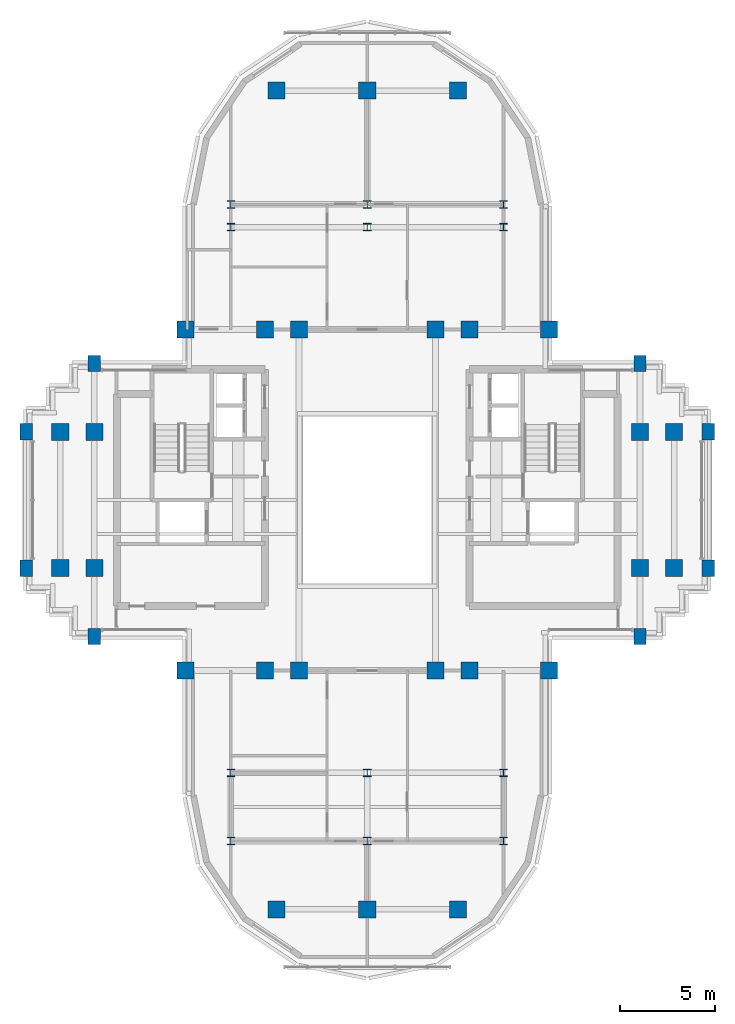
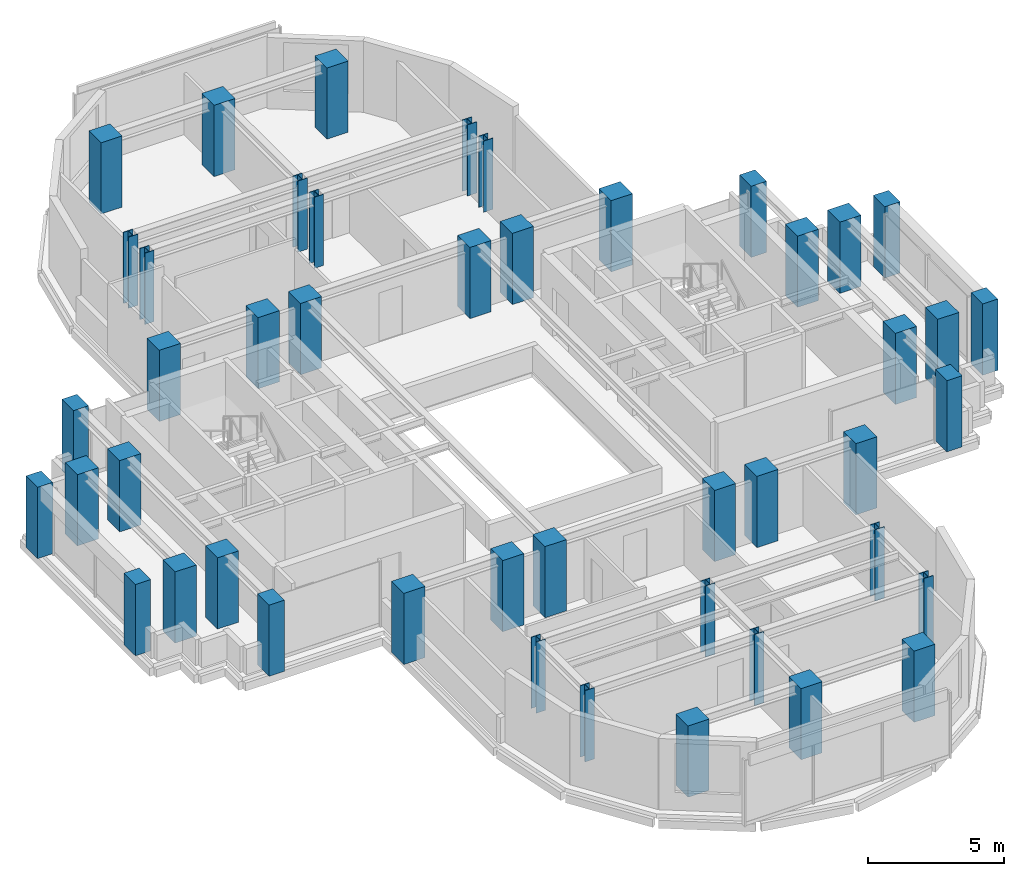
# One storey, part 1 of 11: 46 columns.
"""IFC4 building model written with IfcOpenShell, lengths in metres."""

from ifc_helpers import new_model, si_unit, direction, frame, origin, origin_2d, place, context, subcontext, project, spatial, rectangle, i_section, extrude, source, transform, mapped, material, material_profile, profile_set, type_object, element, save


model = new_model("IFC4")

# Units and contexts
model_context = context("Model", 3, precision=1e-05, world=origin(), true_north=direction((0.0, 1.0)))
body_context = subcontext(model_context, "Body", "Model", "MODEL_VIEW")
ifc_project = project(units=[si_unit("LENGTHUNIT", "METRE"), si_unit("AREAUNIT", "SQUARE_METRE"), si_unit("VOLUMEUNIT", "CUBIC_METRE"), si_unit("PLANEANGLEUNIT", "RADIAN"), si_unit("MASSUNIT", "GRAM", prefix="KILO")], contexts=[model_context])

# Site, building, storey
site_placement = place(None, origin())
site = spatial("IfcSite", under=ifc_project, at=site_placement, CompositionType="ELEMENT")
building_placement = place(site_placement, origin())
building = spatial("IfcBuilding", under=site, at=building_placement, Name="Keilestroom Media Tower", CompositionType="ELEMENT")
storey_placement = place(building_placement, frame((0.0, 0.0, 208.0)))
storey = spatial("IfcBuildingStorey", under=building, at=storey_placement, Name="L57", CompositionType="ELEMENT", Elevation=208.0)

# Columns
ifc_material_1 = material(Name="Precast concrete C40/50", Category="concrete")
ifc_material_profile_1 = material_profile(ifc_material_1, rectangle(XDim=0.64990234375, YDim=0.85009765625, at=origin_2d()), Name="PC 850x650")
ifc_profile_set_1 = profile_set([ifc_material_profile_1], Name="Precast concrete C40/50")
column_type_1 = type_object("IfcColumnType", Name="Structural-Column-PC-850x650", PredefinedType="COLUMN", material=ifc_profile_set_1)
shared_shape_1 = source(origin(), body_context, "Body", "SweptSolid", [
    extrude(rectangle(XDim=0.64990234375, YDim=0.85009765625, at=origin_2d()), origin(), (0.0, 0.0, 1.0), 3.199951171875),
])
for number, where, z_axis, x_axis, name in (
    (1, (-18.0, -3.60009765625, 0.0), (0.0, 0.0, 1.0), (1.0, 0.0, 0.0), "L57 Column PC-2 (-18.0,-3.6)"),
    (2, (-18.0, 3.60009765625, 0.0), (0.0, 0.0, 1.0), (1.0, 0.0, 0.0), "L57 Column PC-2 (-18.0,+3.6)"),
    (3, (-14.39990234375, -7.199951171875, 0.0), (0.0, 0.0, 1.0), (1.0, 0.0, 0.0), "L57 Column PC-2 (-14.4,-7.2)"),
    (4, (-14.39990234375, 7.199951171875, 0.0), (0.0, 0.0, 1.0), (1.0, 0.0, 0.0), "L57 Column PC-2 (-14.4,+7.2)"),
    (5, (14.39990234375, -7.199951171875, 0.0), (0.0, 0.0, 1.0), (1.0, 0.0, 0.0), "L57 Column PC-2 (+14.4,-7.2)"),
    (6, (14.39990234375, 7.199951171875, 0.0), (0.0, 0.0, 1.0), (1.0, 0.0, 0.0), "L57 Column PC-2 (+14.4,+7.2)"),
    (7, (18.0, -3.60009765625, 0.0), (0.0, 0.0, 1.0), (1.0, 0.0, 0.0), "L57 Column PC-2 (+18.0,-3.6)"),
    (8, (18.0, 3.60009765625, 0.0), (0.0, 0.0, 1.0), (1.0, 0.0, 0.0), "L57 Column PC-2 (+18.0,+3.6)"),
):
    element("IfcColumn", number, at=place(storey_placement, frame(where, z_axis=z_axis, x_axis=x_axis)), inside=storey, type_object=column_type_1, Name=name, PredefinedType="COLUMN", context=body_context, shape_type="MappedRepresentation", body=[
        mapped(shared_shape_1, transform((0.0, 0.0, 0.0), x_axis=(1.0, 0.0, 0.0), y_axis=(0.0, 1.0, 0.0), z_axis=(0.0, 0.0, 1.0), scale=1.0)),
    ])
ifc_material_2 = material(Name="Concrete C55/67", Category="concrete")
ifc_material_profile_2 = material_profile(ifc_material_2, rectangle(XDim=0.89990234375, YDim=0.89990234375, at=origin_2d()), Name="RC 900x900")
ifc_profile_set_2 = profile_set([ifc_material_profile_2], Name="Concrete C55/67")
column_type_2 = type_object("IfcColumnType", Name="Structural-Column-RC-900x900", PredefinedType="COLUMN", material=ifc_profile_set_2)
shared_shape_2 = source(origin(), body_context, "Body", "SweptSolid", [
    extrude(rectangle(XDim=0.89990234375, YDim=0.89990234375, at=origin_2d()), origin(), (0.0, 0.0, 1.0), 3.199951171875),
])
for number, where, z_axis, x_axis, name in (
    (9, (-16.199951171875, -3.60009765625, 0.0), (0.0, 0.0, 1.0), (1.0, 0.0, 0.0), "L57 Column MC-4 (-16.2,-3.6)"),
    (10, (-16.199951171875, 3.60009765625, 0.0), (0.0, 0.0, 1.0), (1.0, 0.0, 0.0), "L57 Column MC-4 (-16.2,+3.6)"),
    (11, (-14.39990234375, -3.60009765625, 0.0), (0.0, 0.0, 1.0), (1.0, 0.0, 0.0), "L57 Column MC-4 (-14.4,-3.6)"),
    (12, (-14.39990234375, 3.60009765625, 0.0), (0.0, 0.0, 1.0), (1.0, 0.0, 0.0), "L57 Column MC-4 (-14.4,+3.6)"),
    (13, (-9.60009765625, -9.0, 0.0), (0.0, 0.0, 1.0), (1.0, 0.0, 0.0), "L57 Column MC-4 (-9.6,-9.0)"),
    (14, (-9.60009765625, 9.0, 0.0), (0.0, 0.0, 1.0), (1.0, 0.0, 0.0), "L57 Column MC-4 (-9.6,+9.0)"),
    (15, (-5.39990234375, -9.0, 0.0), (0.0, 0.0, 1.0), (1.0, 0.0, 0.0), "L57 Column MC-4 (-5.4,-9.0)"),
    (16, (-5.39990234375, 9.0, 0.0), (0.0, 0.0, 1.0), (1.0, 0.0, 0.0), "L57 Column MC-4 (-5.4,+9.0)"),
    (17, (-4.800048828125, -21.60009765625, 0.0), (0.0, 0.0, 1.0), (1.0, 0.0, 0.0), "L57 Column MC-4 (-4.8,-21.6)"),
    (18, (-4.800048828125, 21.60009765625, 0.0), (0.0, 0.0, 1.0), (1.0, 0.0, 0.0), "L57 Column MC-4 (-4.8,+21.6)"),
    (19, (-3.60009765625, -9.0, 0.0), (0.0, 0.0, 1.0), (1.0, 0.0, 0.0), "L57 Column MC-4 (-3.6,-9.0)"),
    (20, (-3.60009765625, 9.0, 0.0), (0.0, 0.0, 1.0), (1.0, 0.0, 0.0), "L57 Column MC-4 (-3.6,+9.0)"),
    (21, (0.0, -21.60009765625, 0.0), (0.0, 0.0, 1.0), (1.0, 0.0, 0.0), "L57 Column MC-4 (+0.0,-21.6)"),
    (22, (0.0, 21.60009765625, 0.0), (0.0, 0.0, 1.0), (1.0, 0.0, 0.0), "L57 Column MC-4 (+0.0,+21.6)"),
    (23, (3.60009765625, -9.0, 0.0), (0.0, 0.0, 1.0), (1.0, 0.0, 0.0), "L57 Column MC-4 (+3.6,-9.0)"),
    (24, (3.60009765625, 9.0, 0.0), (0.0, 0.0, 1.0), (1.0, 0.0, 0.0), "L57 Column MC-4 (+3.6,+9.0)"),
    (25, (4.800048828125, -21.60009765625, 0.0), (0.0, 0.0, 1.0), (1.0, 0.0, 0.0), "L57 Column MC-4 (+4.8,-21.6)"),
    (26, (4.800048828125, 21.60009765625, 0.0), (0.0, 0.0, 1.0), (1.0, 0.0, 0.0), "L57 Column MC-4 (+4.8,+21.6)"),
    (27, (5.39990234375, -9.0, 0.0), (0.0, 0.0, 1.0), (1.0, 0.0, 0.0), "L57 Column MC-4 (+5.4,-9.0)"),
    (28, (5.39990234375, 9.0, 0.0), (0.0, 0.0, 1.0), (1.0, 0.0, 0.0), "L57 Column MC-4 (+5.4,+9.0)"),
    (29, (9.60009765625, -9.0, 0.0), (0.0, 0.0, 1.0), (1.0, 0.0, 0.0), "L57 Column MC-4 (+9.6,-9.0)"),
    (30, (9.60009765625, 9.0, 0.0), (0.0, 0.0, 1.0), (1.0, 0.0, 0.0), "L57 Column MC-4 (+9.6,+9.0)"),
    (31, (14.39990234375, -3.60009765625, 0.0), (0.0, 0.0, 1.0), (1.0, 0.0, 0.0), "L57 Column MC-4 (+14.4,-3.6)"),
    (32, (14.39990234375, 3.60009765625, 0.0), (0.0, 0.0, 1.0), (1.0, 0.0, 0.0), "L57 Column MC-4 (+14.4,+3.6)"),
    (33, (16.199951171875, -3.60009765625, 0.0), (0.0, 0.0, 1.0), (1.0, 0.0, 0.0), "L57 Column MC-4 (+16.2,-3.6)"),
    (34, (16.199951171875, 3.60009765625, 0.0), (0.0, 0.0, 1.0), (1.0, 0.0, 0.0), "L57 Column MC-4 (+16.2,+3.6)"),
):
    element("IfcColumn", number, at=place(storey_placement, frame(where, z_axis=z_axis, x_axis=x_axis)), inside=storey, type_object=column_type_2, Name=name, PredefinedType="COLUMN", context=body_context, shape_type="MappedRepresentation", body=[
        mapped(shared_shape_2, transform((0.0, 0.0, 0.0), x_axis=(1.0, 0.0, 0.0), y_axis=(0.0, 1.0, 0.0), z_axis=(0.0, 0.0, 1.0), scale=1.0)),
    ])
ifc_material_3 = material(Name="Steel S355", Category="steel")
ifc_material_profile_3 = material_profile(ifc_material_3, i_section(OverallWidth=0.39794921875, OverallDepth=0.386962890625, WebThickness=0.017578125, FlangeThickness=0.028076171875, at=origin_2d()), Name="HD 400x262")
ifc_profile_set_3 = profile_set([ifc_material_profile_3], Name="Steel S355")
column_type_3 = type_object("IfcColumnType", Name="Structural-Column-HD-400x262", PredefinedType="COLUMN", material=ifc_profile_set_3)
shared_shape_3 = source(origin(), body_context, "Body", "SweptSolid", [
    extrude(i_section(OverallWidth=0.39794921875, OverallDepth=0.386962890625, WebThickness=0.017578125, FlangeThickness=0.028076171875, at=origin_2d()), origin(), (0.0, 0.0, 1.0), 3.199951171875),
])
for number, where, z_axis, x_axis, name in (
    (35, (-7.199951171875, -18.0, 0.0), (0.0, 0.0, 1.0), (1.0, 0.0, 0.0), "L57 Column SC-4 (-7.2,-18.0)"),
    (36, (-7.199951171875, -14.39990234375, 0.0), (0.0, 0.0, 1.0), (1.0, 0.0, 0.0), "L57 Column SC-4 (-7.2,-14.4)"),
    (37, (-7.199951171875, 14.39990234375, 0.0), (0.0, 0.0, 1.0), (1.0, 0.0, 0.0), "L57 Column SC-4 (-7.2,+14.4)"),
    (38, (-7.199951171875, 15.60009765625, 0.0), (0.0, 0.0, 1.0), (1.0, 0.0, 0.0), "L57 Column SC-4 (-7.2,+15.6)"),
    (39, (0.0, -18.0, 0.0), (0.0, 0.0, 1.0), (1.0, 0.0, 0.0), "L57 Column SC-4 (+0.0,-18.0)"),
    (40, (0.0, -14.39990234375, 0.0), (0.0, 0.0, 1.0), (1.0, 0.0, 0.0), "L57 Column SC-4 (+0.0,-14.4)"),
    (41, (0.0, 14.39990234375, 0.0), (0.0, 0.0, 1.0), (1.0, 0.0, 0.0), "L57 Column SC-4 (+0.0,+14.4)"),
    (42, (0.0, 15.60009765625, 0.0), (0.0, 0.0, 1.0), (1.0, 0.0, 0.0), "L57 Column SC-4 (+0.0,+15.6)"),
    (43, (7.199951171875, -18.0, 0.0), (0.0, 0.0, 1.0), (1.0, 0.0, 0.0), "L57 Column SC-4 (+7.2,-18.0)"),
    (44, (7.199951171875, -14.39990234375, 0.0), (0.0, 0.0, 1.0), (1.0, 0.0, 0.0), "L57 Column SC-4 (+7.2,-14.4)"),
    (45, (7.199951171875, 14.39990234375, 0.0), (0.0, 0.0, 1.0), (1.0, 0.0, 0.0), "L57 Column SC-4 (+7.2,+14.4)"),
    (46, (7.199951171875, 15.60009765625, 0.0), (0.0, 0.0, 1.0), (1.0, 0.0, 0.0), "L57 Column SC-4 (+7.2,+15.6)"),
):
    element("IfcColumn", number, at=place(storey_placement, frame(where, z_axis=z_axis, x_axis=x_axis)), inside=storey, type_object=column_type_3, Name=name, PredefinedType="COLUMN", context=body_context, shape_type="MappedRepresentation", body=[
        mapped(shared_shape_3, transform((0.0, 0.0, 0.0), x_axis=(1.0, 0.0, 0.0), y_axis=(0.0, 1.0, 0.0), z_axis=(0.0, 0.0, 1.0), scale=1.0)),
    ])

save(model, "model.ifc")
